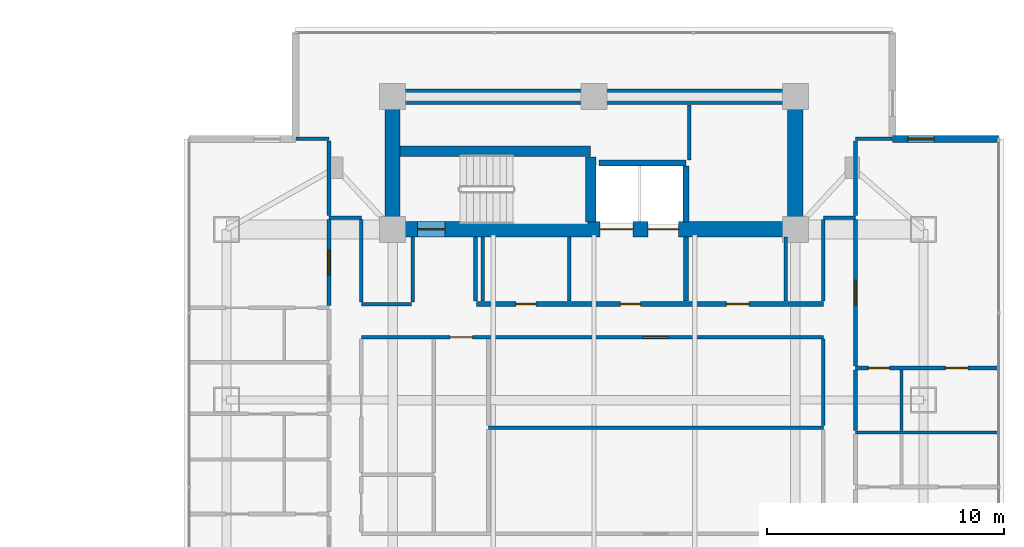
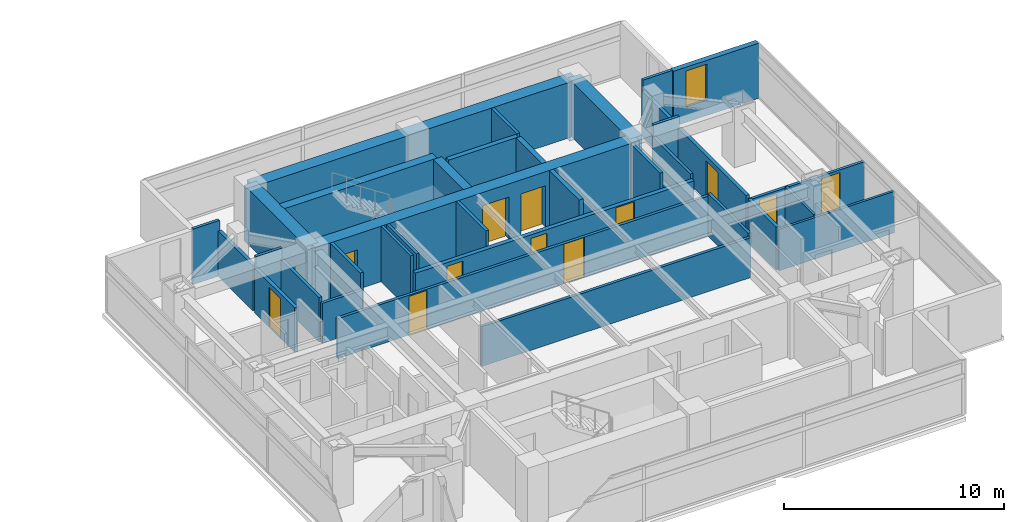
# One storey, part 19 of 26: 35 walls, 12 doors, 1 window, 13 openings.
"""IFC4 building model written with IfcOpenShell, lengths in metres."""

import ifcopenshell
import ifcopenshell.guid

model = None  # the IFC model being written
_history = None  # IfcOwnerHistory: only IFC2X3 demands one
_inside = {}  # id of a spatial element -> (the spatial element, [elements in it])
_under = {}  # id of a project, library or spatial element -> (it, [spatial elements below it])
_declared = {}  # id of a project -> (the project, [libraries it declares])
_typed = {}  # id of a type object -> (the type object, [elements of that type])
_made_of = {}  # id of a material, layer set ... -> (it, [elements and type objects made of it])


def new_model(schema):
    """Start an empty IFC model of exactly this schema.

    Asked for "IFC4X3", IfcOpenShell would pick the latest addendum, in which some entities
    have other attributes; the version numbers below select the first issue.
    IFC2X3 requires an IfcOwnerHistory on every rooted entity: one is made here for all.
    """
    global model, _history
    if schema == "IFC4X3":
        model = ifcopenshell.file(schema_version=(4, 3, 0, 0))
    else:
        model = ifcopenshell.file(schema=schema)
    _inside.clear()
    _under.clear()
    _declared.clear()
    _typed.clear()
    _made_of.clear()
    _history = None
    if model.schema == "IFC2X3":
        org = make("IfcOrganization", Name="unknown")
        user = make(
            "IfcPersonAndOrganization",
            ThePerson=make("IfcPerson", FamilyName="unknown"),
            TheOrganization=org,
        )
        app = make(
            "IfcApplication",
            ApplicationDeveloper=org,
            Version="unknown",
            ApplicationFullName="unknown",
            ApplicationIdentifier="unknown",
        )
        _history = make(
            "IfcOwnerHistory",
            OwningUser=user,
            OwningApplication=app,
            ChangeAction="ADDED",
            CreationDate=0,
        )
    return model


def make(cls, **values):
    """One entity of the class cls with the attributes given. An attribute that is None is left unset."""
    return model.create_entity(
        cls, **{name: value for name, value in values.items() if value is not None}
    )


def rooted(cls, **values):
    """An entity with a GlobalId (a new one), such as an element, a storey or a relation."""
    return make(cls, GlobalId=ifcopenshell.guid.new(), OwnerHistory=_history, **values)


def si_unit(unit_type, name, prefix=None):
    """IfcSIUnit, for example si_unit("LENGTHUNIT", "METRE", prefix="MILLI")."""
    return make("IfcSIUnit", UnitType=unit_type, Prefix=prefix, Name=name)


def assignment(units):
    """IfcUnitAssignment: the units of a project."""
    return None if units is None else make("IfcUnitAssignment", Units=units)


def point(xyz):
    """IfcCartesianPoint."""
    return None if xyz is None else make("IfcCartesianPoint", Coordinates=xyz)


def direction(xyz):
    """IfcDirection."""
    return None if xyz is None else make("IfcDirection", DirectionRatios=xyz)


def frame(location, z_axis=None, x_axis=None):
    """IfcAxis2Placement3D, a coordinate frame: its origin and axes. An axis left out is left unset."""
    return make(
        "IfcAxis2Placement3D",
        Location=point(location),
        Axis=direction(z_axis),
        RefDirection=direction(x_axis),
    )


def frame_2d(location, x_axis=None):
    """IfcAxis2Placement2D, a coordinate frame in the plane: its origin and x axis."""
    return make(
        "IfcAxis2Placement2D", Location=point(location), RefDirection=direction(x_axis)
    )


def origin():
    """The frame at (0, 0, 0) with its axes left unset."""
    return frame((0.0, 0.0, 0.0))


def place(relative_to, where):
    """IfcLocalPlacement: puts the frame where relative to a parent placement (None: the world)."""
    return make(
        "IfcLocalPlacement", PlacementRelTo=relative_to, RelativePlacement=where
    )


def context(
    kind, dimensions, precision=None, world=None, true_north=None, identifier=None
):
    """IfcGeometricRepresentationContext, for example the 3D "Model" context."""
    return make(
        "IfcGeometricRepresentationContext",
        ContextIdentifier=identifier,
        ContextType=kind,
        CoordinateSpaceDimension=dimensions,
        Precision=precision,
        WorldCoordinateSystem=world,
        TrueNorth=true_north,
    )


def subcontext(parent, identifier, kind, view, scale=None):
    """IfcGeometricRepresentationSubContext, for example "Body" below "Model"."""
    return make(
        "IfcGeometricRepresentationSubContext",
        ContextIdentifier=identifier,
        ContextType=kind,
        ParentContext=parent,
        TargetScale=scale,
        TargetView=view,
    )


def project(units=None, contexts=None):
    """IfcProject with its units and contexts."""
    return rooted(
        "IfcProject",
        Name="project",
        RepresentationContexts=contexts,
        UnitsInContext=assignment(units),
    )


def spatial(cls, under=None, at=None, **own):
    """A site, building, storey or space (cls), placed at a placement, below another one or the project."""
    s = rooted(cls, ObjectPlacement=at, **own)
    if under is not None:
        _under.setdefault(under.id(), (under, []))[1].append(s)
    return s


def profile(cls, at=None, kind="AREA", **sizes):
    """A parametric profile (cls). Its sizes go by their IFC names, for example OverallWidth=200.0."""
    return make(cls, ProfileType=kind, Position=at, **sizes)


def rectangle(**sizes):
    """IfcRectangleProfileDef."""
    return profile("IfcRectangleProfileDef", **sizes)


def extrude(swept, where, along, depth):
    """IfcExtrudedAreaSolid: the profile swept, set in the frame where, extruded along a direction by depth."""
    return make(
        "IfcExtrudedAreaSolid",
        SweptArea=swept,
        Position=where,
        ExtrudedDirection=direction(along),
        Depth=depth,
    )


def shape(context_of_items, identifier, shape_type, items):
    """IfcShapeRepresentation: the items that make up one representation, for example the "Body"."""
    return make(
        "IfcShapeRepresentation",
        ContextOfItems=context_of_items,
        RepresentationIdentifier=identifier,
        RepresentationType=shape_type,
        Items=items,
    )


def material(Name=None, Category=None):
    """IfcMaterial."""
    return make("IfcMaterial", Name=Name, Category=Category)


def layer(
    of_material, thickness, ventilated=None, Name=None, Category=None, Priority=None
):
    """IfcMaterialLayer: one layer of a wall or slab, of a material (None: an air gap)."""
    return make(
        "IfcMaterialLayer",
        Material=of_material,
        LayerThickness=thickness,
        IsVentilated=ventilated,
        Name=Name,
        Category=Category,
        Priority=Priority,
    )


def layer_set(layers, Name=None):
    """IfcMaterialLayerSet."""
    return make("IfcMaterialLayerSet", MaterialLayers=layers, LayerSetName=Name)


def made_of(thing, what):
    """Note that an element or type object is made of a material, layer set ...; save() writes the relation."""
    if what is not None:
        _made_of.setdefault(what.id(), (what, []))[1].append(thing)
    return thing


def type_object(cls, material=None, **own):
    """A type object (cls), such as IfcWallType, which elements share."""
    return made_of(rooted(cls, **own), material)


def element(
    cls,
    number,
    at=None,
    inside=None,
    cuts=None,
    type_object=None,
    material=None,
    context=None,
    identifier="Body",
    shape_type=None,
    held_by="IfcProductDefinitionShape",
    body=None,
    shapes=None,
    **own,
):
    """One element of the class cls, such as IfcWall. Its Tag is "e" and its number.

    at: its placement. inside: the storey or other place that contains it. cuts: it is an
    opening in that element (IfcRelVoidsElement). A single representation is given by context,
    identifier, shape_type and body (its items); several are given by shapes. held_by: the class
    of the entity that holds the representations. save() writes the other relations.
    """
    e = rooted(cls, Tag="e%d" % number, ObjectPlacement=at, **own)
    if body is not None:
        shapes = [shape(context, identifier, shape_type, body)]
    if shapes is not None:
        e.Representation = make(held_by, Representations=shapes)
    if inside is not None:
        _inside.setdefault(inside.id(), (inside, []))[1].append(e)
    if cuts is not None:
        rooted(
            "IfcRelVoidsElement", RelatingBuildingElement=cuts, RelatedOpeningElement=e
        )
    if type_object is not None:
        _typed.setdefault(type_object.id(), (type_object, []))[1].append(e)
    return made_of(e, material)


def fill(opening, filler):
    """IfcRelFillsElement: the door or window that sits in an opening."""
    return rooted(
        "IfcRelFillsElement",
        RelatingOpeningElement=opening,
        RelatedBuildingElement=filler,
    )


def aggregate(whole, parts):
    """IfcRelAggregates: a whole, such as a stair, and the parts it consists of."""
    return rooted("IfcRelAggregates", RelatingObject=whole, RelatedObjects=parts)


def save(model, path):
    """Write the relations noted so far, then the file.

    IfcRelAggregates (storeys below a building ...), IfcRelContainedInSpatialStructure (elements
    in a storey), IfcRelDefinesByType, IfcRelAssociatesMaterial and IfcRelDeclares: one each for
    every whole, place, type object, material and project.
    """
    for whole, parts in _under.values():
        aggregate(whole, parts)
    for where, things in _inside.values():
        rooted(
            "IfcRelContainedInSpatialStructure",
            RelatedElements=things,
            RelatingStructure=where,
        )
    for kind, things in _typed.values():
        rooted("IfcRelDefinesByType", RelatedObjects=things, RelatingType=kind)
    for what, things in _made_of.values():
        rooted("IfcRelAssociatesMaterial", RelatedObjects=things, RelatingMaterial=what)
    for by, libraries in _declared.values():
        rooted("IfcRelDeclares", RelatingContext=by, RelatedDefinitions=libraries)
    model.write(path)


model = new_model("IFC4")

# Units and contexts
model_context = context("Model", 3, precision=1e-05, world=origin(), true_north=direction((0.0, 1.0)))
body_context = subcontext(model_context, "Body", "Model", "MODEL_VIEW")
ifc_project = project(units=[si_unit("LENGTHUNIT", "METRE"), si_unit("AREAUNIT", "SQUARE_METRE"), si_unit("VOLUMEUNIT", "CUBIC_METRE"), si_unit("PLANEANGLEUNIT", "RADIAN"), si_unit("MASSUNIT", "GRAM", prefix="KILO")], contexts=[model_context])

# Site, building, storey
site_placement = place(None, origin())
site = spatial("IfcSite", under=ifc_project, at=site_placement, CompositionType="ELEMENT")
building_placement = place(site_placement, origin())
building = spatial("IfcBuilding", under=site, at=building_placement, Name="Mirazonda Arch Towers", CompositionType="ELEMENT")
storey_placement = place(building_placement, frame((0.0, 0.0, 121.39990234375)))
storey = spatial("IfcBuildingStorey", under=building, at=storey_placement, Name="L34", CompositionType="ELEMENT", Elevation=121.39990234375)

# Walls
ifc_material_1 = material(Name="Concrete C50/60", Category="concrete")
ifc_layer_1 = layer(ifc_material_1, 0.449951171875, Name="WALL-CORE-450")
ifc_layer_set_1 = layer_set([ifc_layer_1], Name="Concrete C50/60")
wall_type_1 = type_object("IfcWallType", Name="WALL-CORE-450", PredefinedType="SHEAR", material=ifc_layer_set_1)
wall_1_placement = place(storey_placement, frame((68.320068359375, 38.5, 0.0), z_axis=(0.0, 0.0, 1.0), x_axis=(1.0, 0.0, 0.0)))
element("IfcWall", 1, at=wall_1_placement, inside=storey, type_object=wall_type_1, Name="L34 Stair Core Shear Wall 055", PredefinedType="SHEAR", context=body_context, shape_type="SweptSolid", body=[
    extrude(rectangle(XDim=8.0400390625, YDim=0.449951171875, at=frame_2d((4.02001953125, 0.0))), origin(), (0.0, 0.0, 1.0), 3.080078125),
])
wall_2_placement = place(storey_placement, frame((76.360107421875, 35.52001953125, 0.0), z_axis=(0.0, 0.0, 1.0), x_axis=(0.0, 1.0, 0.0)))
element("IfcWall", 2, at=wall_2_placement, inside=storey, type_object=wall_type_1, Name="L34 Stair Core Shear Wall 141", PredefinedType="SHEAR", context=body_context, shape_type="SweptSolid", body=[
    extrude(rectangle(XDim=2.744873046875, YDim=0.449951171875, at=frame_2d((1.37255859375, 0.0))), origin(), (0.0, 0.0, 1.0), 3.080078125),
])
ifc_material_2 = material(Name="Concrete C60/75", Category="concrete")
ifc_layer_2 = layer(ifc_material_2, 0.64990234375, Name="WALL-CORE-650")
ifc_layer_set_2 = layer_set([ifc_layer_2], Name="Concrete C60/75")
wall_type_2 = type_object("IfcWallType", Name="WALL-CORE-650", PredefinedType="SHEAR", material=ifc_layer_set_2)
wall_3_placement = place(storey_placement, frame((68.0, 40.800048828125, 0.0), z_axis=(0.0, 0.0, 1.0), x_axis=(1.0, 0.0, 0.0)))
element("IfcWall", 3, at=wall_3_placement, inside=storey, type_object=wall_type_2, Name="L34 T2N-N Core Shear Wall", PredefinedType="SHEAR", context=body_context, shape_type="SweptSolid", body=[
    extrude(rectangle(XDim=17.0, YDim=0.64990234375, at=frame_2d((8.5, 0.0))), origin(), (0.0, 0.0, 1.0), 3.080078125),
])
for number, where, z_axis, x_axis, name in (
    (4, (68.0, 35.199951171875, 0.0), (0.0, 0.0, 1.0), (0.0, 1.0, 0.0), "L34 T2N-W Core Shear Wall"),
    (5, (85.0, 35.199951171875, 0.0), (0.0, 0.0, 1.0), (0.0, 1.0, 0.0), "L34 T2N-E Core Shear Wall"),
):
    element("IfcWall", number, at=place(storey_placement, frame(where, z_axis=z_axis, x_axis=x_axis)), inside=storey, type_object=wall_type_2, Name=name, PredefinedType="SHEAR", context=body_context, shape_type="SweptSolid", body=[
        extrude(rectangle(XDim=5.60009765625, YDim=0.64990234375, at=frame_2d((2.800048828125, 0.0))), origin(), (0.0, 0.0, 1.0), 3.080078125),
    ])

# Wall, openings, doors
wall_4_placement = place(storey_placement, frame((68.0, 35.199951171875, 0.0), z_axis=(0.0, 0.0, 1.0), x_axis=(1.0, 0.0, 0.0)))
wall_4 = element("IfcWall", 6, at=wall_4_placement, inside=storey, type_object=wall_type_2, Name="L34 T2N-S Core Shear Wall", PredefinedType="SHEAR", context=body_context, shape_type="SweptSolid", body=[
    extrude(rectangle(XDim=17.0, YDim=0.64990234375, at=frame_2d((8.5, 0.0))), origin(), (0.0, 0.0, 1.0), 3.080078125),
])
opening_1_placement = place(wall_4_placement, frame((1.06005859375, 0.0, 0.0)))
opening_1 = element("IfcOpeningElement", 7, at=opening_1_placement, cuts=wall_4, Name="Opening DR-135", PredefinedType="OPENING", context=body_context, shape_type="SweptSolid", body=[
    extrude(rectangle(XDim=1.14990234375, YDim=2.199951171875, at=frame_2d((0.574951171875, 1.10009765625))), frame((0.0, 0.3349609375, 0.0), z_axis=(0.0, -1.0, 0.0), x_axis=(1.0, 0.0, 0.0)), (0.0, 0.0, 1.0), 0.669921875),
])
opening_2_placement = place(wall_4_placement, frame((8.75, 0.0, 0.0)))
opening_2 = element("IfcOpeningElement", 8, at=opening_2_placement, cuts=wall_4, Name="Opening LD-112", PredefinedType="OPENING", context=body_context, shape_type="SweptSolid", body=[
    extrude(rectangle(XDim=1.39990234375, YDim=2.35009765625, at=frame_2d((0.699951171875, 1.175048828125))), frame((0.0, 0.3349609375, 0.0), z_axis=(0.0, -1.0, 0.0), x_axis=(1.0, 0.0, 0.0)), (0.0, 0.0, 1.0), 0.669921875),
])
opening_3_placement = place(wall_4_placement, frame((10.77001953125, 0.0, 0.0)))
opening_3 = element("IfcOpeningElement", 9, at=opening_3_placement, cuts=wall_4, Name="Opening LD-111", PredefinedType="OPENING", context=body_context, shape_type="SweptSolid", body=[
    extrude(rectangle(XDim=1.300048828125, YDim=2.300048828125, at=frame_2d((0.64990234375, 1.14990234375))), frame((0.0, 0.3349609375, 0.0), z_axis=(0.0, -1.0, 0.0), x_axis=(1.0, 0.0, 0.0)), (0.0, 0.0, 1.0), 0.669921875),
])
ifc_material_3 = material(Name="Architectural Brushed Steel S355", Category="steel")
door_type_1 = type_object("IfcDoorType", Name="DOOR-LIFT-FFL-1400", OperationType="NOTDEFINED", PredefinedType="DOOR", material=ifc_material_3)
door_1_placement = place(opening_2_placement, origin())
door_1 = element("IfcDoor", 10, at=door_1_placement, inside=storey, type_object=door_type_1, Name="L34 Lift Landing Sliding Door FFL-T2", OperationType="DOUBLE_DOOR_SLIDING", OverallHeight=2.35009765625, OverallWidth=1.39990234375, PredefinedType="DOOR", context=body_context, shape_type="SweptSolid", body=[
    extrude(rectangle(XDim=1.39990234375, YDim=2.35009765625, at=frame_2d((0.699951171875, 1.175048828125))), frame((0.0, 0.02490234375, 0.0), z_axis=(0.0, -1.0, 0.0), x_axis=(1.0, 0.0, 0.0)), (0.0, 0.0, 1.0), 0.050048828125),
])
fill(opening_2, door_1)
door_type_2 = type_object("IfcDoorType", Name="DOOR-LIFT-LAND-1300", OperationType="NOTDEFINED", PredefinedType="DOOR", material=ifc_material_3)
door_2_placement = place(opening_3_placement, origin())
door_2 = element("IfcDoor", 11, at=door_2_placement, inside=storey, type_object=door_type_2, Name="L34 Lift Landing Sliding Door SVL-T2", OperationType="DOUBLE_DOOR_SLIDING", OverallHeight=2.300048828125, OverallWidth=1.300048828125, PredefinedType="DOOR", context=body_context, shape_type="SweptSolid", body=[
    extrude(rectangle(XDim=1.300048828125, YDim=2.300048828125, at=frame_2d((0.64990234375, 1.14990234375))), frame((0.0, 0.02490234375, 0.0), z_axis=(0.0, -1.0, 0.0), x_axis=(1.0, 0.0, 0.0)), (0.0, 0.0, 1.0), 0.050048828125),
])
fill(opening_3, door_2)
door_type_3 = type_object("IfcDoorType", Name="DOOR-STAIR-FD90-1150", OperationType="NOTDEFINED", PredefinedType="DOOR", material=ifc_material_3)
door_3_placement = place(opening_1_placement, origin())
door_3 = element("IfcDoor", 12, at=door_3_placement, inside=storey, type_object=door_type_3, Name="L34 East Protected Stair North Door", OperationType="SINGLE_SWING_LEFT", OverallHeight=2.199951171875, OverallWidth=1.14990234375, PredefinedType="DOOR", context=body_context, shape_type="SweptSolid", body=[
    extrude(rectangle(XDim=1.14990234375, YDim=2.199951171875, at=frame_2d((0.574951171875, 1.10009765625))), frame((0.0, 0.02490234375, 0.0), z_axis=(0.0, -1.0, 0.0), x_axis=(1.0, 0.0, 0.0)), (0.0, 0.0, 1.0), 0.050048828125),
])
fill(opening_1, door_3)

# Wall, opening, window
ifc_material_4 = material(Name="Precast Concrete C40/50", Category="concrete")
ifc_layer_3 = layer(ifc_material_4, 0.280029296875, Name="WALL-EXT-WALL-280")
ifc_layer_set_3 = layer_set([ifc_layer_3], Name="Precast Concrete C40/50")
wall_type_3 = type_object("IfcWallType", Name="WALL-EXT-WALL-280", PredefinedType="SOLIDWALL", material=ifc_layer_set_3)
wall_5_placement = place(storey_placement, frame((93.5830078125, 39.015869140625, 0.0), z_axis=(0.0, 0.0, 1.0), x_axis=(-1.0, 0.0, 0.0)))
wall_5 = element("IfcWall", 13, at=wall_5_placement, inside=storey, type_object=wall_type_3, Name="L34 T2 Corner Notch Return Wall WL-L34-T2-CNE2", PredefinedType="SOLIDWALL", context=body_context, shape_type="SweptSolid", body=[
    extrude(rectangle(XDim=4.486572265625, YDim=0.280029296875, at=frame_2d((2.2431640625, 0.0))), origin(), (0.0, 0.0, 1.0), 3.06005859375),
])
opening_4_placement = place(wall_5_placement, frame((2.737060546875, 0.0, 0.85009765625)))
opening_4 = element("IfcOpeningElement", 14, at=opening_4_placement, cuts=wall_5, Name="Opening WN-108", PredefinedType="OPENING", context=body_context, shape_type="SweptSolid", body=[
    extrude(rectangle(XDim=1.10009765625, YDim=2.0, at=frame_2d((0.550048828125, 1.0))), frame((0.0, 0.14990234375, 0.0), z_axis=(0.0, -1.0, 0.0), x_axis=(1.0, 0.0, 0.0)), (0.0, 0.0, 1.0), 0.300048828125),
])
ifc_material_5 = material(Name="Insulated Low-E Solar Glass", Category="glass")
window_type = type_object("IfcWindowType", Name="WIN-NOTCH-1100x2000", PartitioningType="SINGLE_PANEL", PredefinedType="WINDOW", material=ifc_material_5)
window_placement = place(opening_4_placement, origin())
window = element("IfcWindow", 15, at=window_placement, inside=storey, type_object=window_type, Name="L34 Punched Facade Window WN-L34-T2-CNE2", OverallHeight=2.0, OverallWidth=1.10009765625, PartitioningType="SINGLE_PANEL", PredefinedType="WINDOW", context=body_context, shape_type="SweptSolid", body=[
    extrude(rectangle(XDim=1.10009765625, YDim=2.0, at=frame_2d((0.550048828125, 1.0))), frame((0.0, 0.030029296875, 0.0), z_axis=(0.0, -1.0, 0.0), x_axis=(1.0, 0.0, 0.0)), (0.0, 0.0, 1.0), 0.06005859375),
])
fill(opening_4, window)

# Wall, openings, doors
ifc_material_6 = material(Name="Concrete C40/50", Category="concrete")
ifc_layer_4 = layer(ifc_material_6, 0.219970703125, Name="WALL-FFL-220")
ifc_layer_set_4 = layer_set([ifc_layer_4], Name="Concrete C40/50")
wall_type_4 = type_object("IfcWallType", Name="WALL-FFL-220", PredefinedType="SOLIDWALL", material=ifc_layer_set_4)
wall_6_placement = place(storey_placement, frame((71.550048828125, 32.050048828125, 0.0), z_axis=(0.0, 0.0, 1.0), x_axis=(1.0, 0.0, 0.0)))
wall_6 = element("IfcWall", 16, at=wall_6_placement, inside=storey, type_object=wall_type_4, Name="L34 Interior Partition 046", PredefinedType="SOLIDWALL", context=body_context, shape_type="SweptSolid", body=[
    extrude(rectangle(XDim=14.6298828125, YDim=0.219970703125, at=frame_2d((7.31494140625, 0.0))), origin(), (0.0, 0.0, 1.0), 2.216064453125),
])
opening_5_placement = place(wall_6_placement, frame((6.06494140625, 0.0, 0.0)))
opening_5 = element("IfcOpeningElement", 17, at=opening_5_placement, cuts=wall_6, Name="Opening DR-128", PredefinedType="OPENING", context=body_context, shape_type="SweptSolid", body=[
    extrude(rectangle(XDim=0.85009765625, YDim=2.010009765625, at=frame_2d((0.425048828125, 1.0048828125))), frame((0.0, 0.119873046875, 0.0), z_axis=(0.0, -1.0, 0.0), x_axis=(1.0, 0.0, 0.0)), (0.0, 0.0, 1.0), 0.239990234375),
])
opening_6_placement = place(wall_6_placement, frame((10.534912109375, 0.0, 0.0)))
opening_6 = element("IfcOpeningElement", 18, at=opening_6_placement, cuts=wall_6, Name="Opening DR-104", PredefinedType="OPENING", context=body_context, shape_type="SweptSolid", body=[
    extrude(rectangle(XDim=0.949951171875, YDim=2.14990234375, at=frame_2d((0.47509765625, 1.074951171875))), frame((0.0, 0.119873046875, 0.0), z_axis=(0.0, -1.0, 0.0), x_axis=(1.0, 0.0, 0.0)), (0.0, 0.0, 1.0), 0.239990234375),
])
opening_7_placement = place(wall_6_placement, frame((1.64990234375, 0.0, 0.0)))
opening_7 = element("IfcOpeningElement", 19, at=opening_7_placement, cuts=wall_6, Name="Opening DR-128", PredefinedType="OPENING", context=body_context, shape_type="SweptSolid", body=[
    extrude(rectangle(XDim=0.85009765625, YDim=2.010009765625, at=frame_2d((0.425048828125, 1.0048828125))), frame((0.0, 0.119873046875, 0.0), z_axis=(0.0, -1.0, 0.0), x_axis=(1.0, 0.0, 0.0)), (0.0, 0.0, 1.0), 0.239990234375),
])
door_type_4 = type_object("IfcDoorType", Name="DOOR-RISER-FD60-850", OperationType="NOTDEFINED", PredefinedType="DOOR", material=ifc_material_3)
door_4_placement = place(opening_5_placement, origin())
door_4 = element("IfcDoor", 20, at=door_4_placement, inside=storey, type_object=door_type_4, Name="L34 East Firefighting Lift Lobby Door", OperationType="SINGLE_SWING_RIGHT", OverallHeight=2.010009765625, OverallWidth=0.85009765625, PredefinedType="DOOR", context=body_context, shape_type="SweptSolid", body=[
    extrude(rectangle(XDim=0.85009765625, YDim=2.010009765625, at=frame_2d((0.425048828125, 1.0048828125))), frame((0.0, 0.02490234375, 0.0), z_axis=(0.0, -1.0, 0.0), x_axis=(1.0, 0.0, 0.0)), (0.0, 0.0, 1.0), 0.050048828125),
])
fill(opening_5, door_4)
door_5_placement = place(opening_7_placement, origin())
door_5 = element("IfcDoor", 21, at=door_5_placement, inside=storey, type_object=door_type_4, Name="L34 Tower 2 Housekeeping & Linen Room Door", OperationType="SINGLE_SWING_RIGHT", OverallHeight=2.010009765625, OverallWidth=0.85009765625, PredefinedType="DOOR", context=body_context, shape_type="SweptSolid", body=[
    extrude(rectangle(XDim=0.85009765625, YDim=2.010009765625, at=frame_2d((0.425048828125, 1.0048828125))), frame((0.0, 0.02490234375, 0.0), z_axis=(0.0, -1.0, 0.0), x_axis=(1.0, 0.0, 0.0)), (0.0, 0.0, 1.0), 0.050048828125),
])
fill(opening_7, door_5)
door_type_5 = type_object("IfcDoorType", Name="DOOR-ROOM-950", OperationType="NOTDEFINED", PredefinedType="DOOR", material=ifc_material_3)
door_6_placement = place(opening_6_placement, origin())
door_6 = element("IfcDoor", 22, at=door_6_placement, inside=storey, type_object=door_type_5, Name="L34 East Sky Reading Library Door", OperationType="SINGLE_SWING_LEFT", OverallHeight=2.14990234375, OverallWidth=0.949951171875, PredefinedType="DOOR", context=body_context, shape_type="SweptSolid", body=[
    extrude(rectangle(XDim=0.949951171875, YDim=2.14990234375, at=frame_2d((0.47509765625, 1.074951171875))), frame((0.0, 0.02490234375, 0.0), z_axis=(0.0, -1.0, 0.0), x_axis=(1.0, 0.0, 0.0)), (0.0, 0.0, 1.0), 0.050048828125),
])
fill(opening_6, door_6)

# Walls
wall_7_placement = place(storey_placement, frame((80.3798828125, 32.169921875, 0.0), z_axis=(0.0, 0.0, 1.0), x_axis=(0.0, 1.0, 0.0)))
element("IfcWall", 23, at=wall_7_placement, inside=storey, type_object=wall_type_4, Name="L34 Interior Partition 143", PredefinedType="SOLIDWALL", context=body_context, shape_type="SweptSolid", body=[
    extrude(rectangle(XDim=2.7099609375, YDim=0.219970703125, at=frame_2d((1.35498046875, 0.0))), origin(), (0.0, 0.0, 1.0), 3.080078125),
])
ifc_material_7 = material(Name="Fire-Rated Gypsum Stud Partition")
ifc_layer_5 = layer(ifc_material_7, 0.14990234375, Name="WALL-PART-CORR-150")
ifc_layer_set_5 = layer_set([ifc_layer_5], Name="Fire-Rated Gypsum Stud Partition")
wall_type_5 = type_object("IfcWallType", Name="WALL-PART-CORR-150", PredefinedType="PARTITIONING", material=ifc_layer_set_5)
wall_8_placement = place(storey_placement, frame((72.050048828125, 26.83203125, 0.0), z_axis=(0.0, 0.0, 1.0), x_axis=(1.0, 0.0, 0.0)))
element("IfcWall", 24, at=wall_8_placement, inside=storey, type_object=wall_type_5, Name="L34 Interior Partition 034", PredefinedType="PARTITIONING", context=body_context, shape_type="SweptSolid", body=[
    extrude(rectangle(XDim=14.1298828125, YDim=0.14990234375, at=frame_2d((7.06494140625, 0.0))), origin(), (0.0, 0.0, 1.0), 2.216064453125),
])

# Wall, openings, doors
wall_9_placement = place(storey_placement, frame((87.5400390625, 29.35205078125, 0.0), z_axis=(0.0, 0.0, 1.0), x_axis=(1.0, 0.0, 0.0)))
wall_9 = element("IfcWall", 25, at=wall_9_placement, inside=storey, type_object=wall_type_5, Name="L34 Interior Partition 040", PredefinedType="PARTITIONING", context=body_context, shape_type="SweptSolid", body=[
    extrude(rectangle(XDim=6.04296875, YDim=0.14990234375, at=frame_2d((3.021484375, 0.0))), origin(), (0.0, 0.0, 1.0), 2.299072265625),
])
opening_8_placement = place(wall_9_placement, frame((3.79345703125, 0.0, 0.0)))
opening_8 = element("IfcOpeningElement", 26, at=opening_8_placement, cuts=wall_9, Name="Opening DR-104", PredefinedType="OPENING", context=body_context, shape_type="SweptSolid", body=[
    extrude(rectangle(XDim=0.949951171875, YDim=2.14990234375, at=frame_2d((0.47509765625, 1.074951171875))), frame((0.0, 0.0849609375, 0.0), z_axis=(0.0, -1.0, 0.0), x_axis=(1.0, 0.0, 0.0)), (0.0, 0.0, 1.0), 0.169921875),
])
opening_9_placement = place(wall_9_placement, frame((0.537109375, 0.0, 0.0)))
opening_9 = element("IfcOpeningElement", 27, at=opening_9_placement, cuts=wall_9, Name="Opening DR-120", PredefinedType="OPENING", context=body_context, shape_type="SweptSolid", body=[
    extrude(rectangle(XDim=0.89990234375, YDim=2.10009765625, at=frame_2d((0.449951171875, 1.050048828125))), frame((0.0, 0.0849609375, 0.0), z_axis=(0.0, -1.0, 0.0), x_axis=(1.0, 0.0, 0.0)), (0.0, 0.0, 1.0), 0.169921875),
])
door_7_placement = place(opening_8_placement, origin())
door_7 = element("IfcDoor", 28, at=door_7_placement, inside=storey, type_object=door_type_5, Name="L34 Studio 2 Galley Kitchen Door", OperationType="SINGLE_SWING_RIGHT", OverallHeight=2.14990234375, OverallWidth=0.949951171875, PredefinedType="DOOR", context=body_context, shape_type="SweptSolid", body=[
    extrude(rectangle(XDim=0.949951171875, YDim=2.14990234375, at=frame_2d((0.47509765625, 1.074951171875))), frame((0.0, 0.02490234375, 0.0), z_axis=(0.0, -1.0, 0.0), x_axis=(1.0, 0.0, 0.0)), (0.0, 0.0, 1.0), 0.050048828125),
])
fill(opening_8, door_7)
door_type_6 = type_object("IfcDoorType", Name="DOOR-WC-900", OperationType="NOTDEFINED", PredefinedType="DOOR", material=ifc_material_3)
door_8_placement = place(opening_9_placement, origin())
door_8 = element("IfcDoor", 29, at=door_8_placement, inside=storey, type_object=door_type_6, Name="L34 Studio 2 Bathroom Door", OperationType="SINGLE_SWING_LEFT", OverallHeight=2.10009765625, OverallWidth=0.89990234375, PredefinedType="DOOR", context=body_context, shape_type="SweptSolid", body=[
    extrude(rectangle(XDim=0.89990234375, YDim=2.10009765625, at=frame_2d((0.449951171875, 1.050048828125))), frame((0.0, 0.02490234375, 0.0), z_axis=(0.0, -1.0, 0.0), x_axis=(1.0, 0.0, 0.0)), (0.0, 0.0, 1.0), 0.050048828125),
])
fill(opening_9, door_8)

wall_10_placement = place(storey_placement, frame((66.679931640625, 30.64990234375, 0.0), z_axis=(0.0, 0.0, 1.0), x_axis=(1.0, 0.0, 0.0)))
wall_10 = element("IfcWall", 30, at=wall_10_placement, inside=storey, type_object=wall_type_5, Name="L34 Interior Partition 043", PredefinedType="PARTITIONING", context=body_context, shape_type="SweptSolid", body=[
    extrude(rectangle(XDim=19.5, YDim=0.14990234375, at=frame_2d((9.75, 0.0))), origin(), (0.0, 0.0, 1.0), 2.216064453125),
])
opening_10_placement = place(wall_10_placement, frame((3.7451171875, 0.0, 0.0)))
opening_10 = element("IfcOpeningElement", 31, at=opening_10_placement, cuts=wall_10, Name="Opening DR-104", PredefinedType="OPENING", context=body_context, shape_type="SweptSolid", body=[
    extrude(rectangle(XDim=0.949951171875, YDim=2.14990234375, at=frame_2d((0.47509765625, 1.074951171875))), frame((0.0, 0.0849609375, 0.0), z_axis=(0.0, -1.0, 0.0), x_axis=(1.0, 0.0, 0.0)), (0.0, 0.0, 1.0), 0.169921875),
])
opening_11_placement = place(wall_10_placement, frame((11.889892578125, 0.0, 0.0)))
opening_11 = element("IfcOpeningElement", 32, at=opening_11_placement, cuts=wall_10, Name="Opening DR-121", PredefinedType="OPENING", context=body_context, shape_type="SweptSolid", body=[
    extrude(rectangle(XDim=1.050048828125, YDim=2.199951171875, at=frame_2d((0.52490234375, 1.10009765625))), frame((0.0, 0.0849609375, 0.0), z_axis=(0.0, -1.0, 0.0), x_axis=(1.0, 0.0, 0.0)), (0.0, 0.0, 1.0), 0.169921875),
])
door_9_placement = place(opening_10_placement, origin())
door_9 = element("IfcDoor", 33, at=door_9_placement, inside=storey, type_object=door_type_5, Name="L34 L34 East Courtyard Study Door", OperationType="SINGLE_SWING_LEFT", OverallHeight=2.14990234375, OverallWidth=0.949951171875, PredefinedType="DOOR", context=body_context, shape_type="SweptSolid", body=[
    extrude(rectangle(XDim=0.949951171875, YDim=2.14990234375, at=frame_2d((0.47509765625, 1.074951171875))), frame((0.0, 0.02490234375, 0.0), z_axis=(0.0, -1.0, 0.0), x_axis=(1.0, 0.0, 0.0)), (0.0, 0.0, 1.0), 0.050048828125),
])
fill(opening_10, door_9)
door_type_7 = type_object("IfcDoorType", Name="DOOR-SUITE-FD60-1050", OperationType="NOTDEFINED", PredefinedType="DOOR", material=ifc_material_3)
door_10_placement = place(opening_11_placement, origin())
door_10 = element("IfcDoor", 34, at=door_10_placement, inside=storey, type_object=door_type_7, Name="L34 Private Dining Room Door", OperationType="SINGLE_SWING_LEFT", OverallHeight=2.199951171875, OverallWidth=1.050048828125, PredefinedType="DOOR", context=body_context, shape_type="SweptSolid", body=[
    extrude(rectangle(XDim=1.050048828125, YDim=2.199951171875, at=frame_2d((0.52490234375, 1.10009765625))), frame((0.0, 0.02490234375, 0.0), z_axis=(0.0, -1.0, 0.0), x_axis=(1.0, 0.0, 0.0)), (0.0, 0.0, 1.0), 0.050048828125),
])
fill(opening_11, door_10)

# Walls
wall_11_placement = place(storey_placement, frame((66.679931640625, 32.050048828125, 0.0), z_axis=(0.0, 0.0, 1.0), x_axis=(1.0, 0.0, 0.0)))
element("IfcWall", 35, at=wall_11_placement, inside=storey, type_object=wall_type_5, Name="L34 Interior Partition 045", PredefinedType="PARTITIONING", context=body_context, shape_type="SweptSolid", body=[
    extrude(rectangle(XDim=2.1201171875, YDim=0.14990234375, at=frame_2d((1.06005859375, 0.0))), origin(), (0.0, 0.0, 1.0), 2.216064453125),
])
wall_12_placement = place(storey_placement, frame((65.320068359375, 35.699951171875, 0.0), z_axis=(0.0, 0.0, 1.0), x_axis=(1.0, 0.0, 0.0)))
element("IfcWall", 36, at=wall_12_placement, inside=storey, type_object=wall_type_5, Name="L34 Interior Partition 052", PredefinedType="PARTITIONING", context=body_context, shape_type="SweptSolid", body=[
    extrude(rectangle(XDim=1.35986328125, YDim=0.14990234375, at=frame_2d((0.679931640625, 0.0))), origin(), (0.0, 0.0, 1.0), 3.080078125),
])
wall_13_placement = place(storey_placement, frame((86.179931640625, 35.699951171875, 0.0), z_axis=(0.0, 0.0, 1.0), x_axis=(1.0, 0.0, 0.0)))
element("IfcWall", 37, at=wall_13_placement, inside=storey, type_object=wall_type_5, Name="L34 Interior Partition 053", PredefinedType="PARTITIONING", context=body_context, shape_type="SweptSolid", body=[
    extrude(rectangle(XDim=1.360107421875, YDim=0.14990234375, at=frame_2d((0.68017578125, 0.0))), origin(), (0.0, 0.0, 1.0), 3.080078125),
])
wall_14_placement = place(storey_placement, frame((63.923583984375, 39.01611328125, 0.0), z_axis=(0.0, 0.0, 1.0), x_axis=(1.0, 0.0, 0.0)))
element("IfcWall", 38, at=wall_14_placement, inside=storey, type_object=wall_type_5, Name="L34 Interior Partition 056", PredefinedType="PARTITIONING", context=body_context, shape_type="SweptSolid", body=[
    extrude(rectangle(XDim=1.396484375, YDim=0.14990234375, at=frame_2d((0.6982421875, 0.0))), origin(), (0.0, 0.0, 1.0), 3.080078125),
])
wall_15_placement = place(storey_placement, frame((87.5400390625, 39.01611328125, 0.0), z_axis=(0.0, 0.0, 1.0), x_axis=(1.0, 0.0, 0.0)))
element("IfcWall", 39, at=wall_15_placement, inside=storey, type_object=wall_type_5, Name="L34 Interior Partition 057", PredefinedType="PARTITIONING", context=body_context, shape_type="SweptSolid", body=[
    extrude(rectangle(XDim=1.536376953125, YDim=0.14990234375, at=frame_2d((0.76806640625, 0.0))), origin(), (0.0, 0.0, 1.0), 3.080078125),
])
wall_16_placement = place(storey_placement, frame((66.679931640625, 32.135009765625, 0.0), z_axis=(0.0, 0.0, 1.0), x_axis=(0.0, 1.0, 0.0)))
element("IfcWall", 40, at=wall_16_placement, inside=storey, type_object=wall_type_5, Name="L34 Interior Partition 131", PredefinedType="PARTITIONING", context=body_context, shape_type="SweptSolid", body=[
    extrude(rectangle(XDim=3.47998046875, YDim=0.14990234375, at=frame_2d((1.739990234375, 0.0))), origin(), (0.0, 0.0, 1.0), 2.47216796875),
])
wall_17_placement = place(storey_placement, frame((68.85009765625, 32.135009765625, 0.0), z_axis=(0.0, 0.0, 1.0), x_axis=(0.0, 1.0, 0.0)))
element("IfcWall", 41, at=wall_17_placement, inside=storey, type_object=wall_type_5, Name="L34 Interior Partition 132", PredefinedType="PARTITIONING", context=body_context, shape_type="SweptSolid", body=[
    extrude(rectangle(XDim=2.744873046875, YDim=0.14990234375, at=frame_2d((1.37255859375, 0.0))), origin(), (0.0, 0.0, 1.0), 3.080078125),
])
for number, where, z_axis, x_axis, name in (
    (42, (71.5, 32.169921875, 0.0), (0.0, 0.0, 1.0), (0.0, 1.0, 0.0), "L34 Interior Partition 135"),
    (43, (71.800048828125, 32.169921875, 0.0), (0.0, 0.0, 1.0), (0.0, 1.0, 0.0), "L34 Interior Partition 136"),
    (44, (75.449951171875, 32.169921875, 0.0), (0.0, 0.0, 1.0), (0.0, 1.0, 0.0), "L34 Interior Partition 139"),
):
    element("IfcWall", number, at=place(storey_placement, frame(where, z_axis=z_axis, x_axis=x_axis)), inside=storey, type_object=wall_type_5, Name=name, PredefinedType="PARTITIONING", context=body_context, shape_type="SweptSolid", body=[
        extrude(rectangle(XDim=2.7099609375, YDim=0.14990234375, at=frame_2d((1.35498046875, 0.0))), origin(), (0.0, 0.0, 1.0), 3.080078125),
    ])
wall_18_placement = place(storey_placement, frame((80.52001953125, 38.135009765625, 0.0), z_axis=(0.0, 0.0, 1.0), x_axis=(0.0, 1.0, 0.0)))
element("IfcWall", 45, at=wall_18_placement, inside=storey, type_object=wall_type_5, Name="L34 Interior Partition 145", PredefinedType="PARTITIONING", context=body_context, shape_type="SweptSolid", body=[
    extrude(rectangle(XDim=2.31494140625, YDim=0.14990234375, at=frame_2d((1.157470703125, 0.0))), origin(), (0.0, 0.0, 1.0), 3.080078125),
])
wall_19_placement = place(storey_placement, frame((84.60009765625, 32.169921875, 0.0), z_axis=(0.0, 0.0, 1.0), x_axis=(0.0, 1.0, 0.0)))
element("IfcWall", 46, at=wall_19_placement, inside=storey, type_object=wall_type_5, Name="L34 Interior Partition 147", PredefinedType="PARTITIONING", context=body_context, shape_type="SweptSolid", body=[
    extrude(rectangle(XDim=2.7099609375, YDim=0.14990234375, at=frame_2d((1.35498046875, 0.0))), origin(), (0.0, 0.0, 1.0), 3.080078125),
])
wall_20_placement = place(storey_placement, frame((86.179931640625, 26.9169921875, 0.0), z_axis=(0.0, 0.0, 1.0), x_axis=(0.0, 1.0, 0.0)))
element("IfcWall", 47, at=wall_20_placement, inside=storey, type_object=wall_type_5, Name="L34 Interior Partition 150", PredefinedType="PARTITIONING", context=body_context, shape_type="SweptSolid", body=[
    extrude(rectangle(XDim=3.64794921875, YDim=0.14990234375, at=frame_2d((1.823974609375, 0.0))), origin(), (0.0, 0.0, 1.0), 2.3759765625),
])
wall_21_placement = place(storey_placement, frame((86.179931640625, 32.169921875, 0.0), z_axis=(0.0, 0.0, 1.0), x_axis=(0.0, 1.0, 0.0)))
element("IfcWall", 48, at=wall_21_placement, inside=storey, type_object=wall_type_5, Name="L34 Interior Partition 151", PredefinedType="PARTITIONING", context=body_context, shape_type="SweptSolid", body=[
    extrude(rectangle(XDim=3.445068359375, YDim=0.14990234375, at=frame_2d((1.72265625, 0.0))), origin(), (0.0, 0.0, 1.0), 2.47216796875),
])

# Wall, opening, door
ifc_material_8 = material(Name="Fire-Rated Gypsum Twin-Stud Assembly")
ifc_layer_6 = layer(ifc_material_8, 0.179931640625, Name="WALL-PART-DEMISE-180")
ifc_layer_set_6 = layer_set([ifc_layer_6], Name="Fire-Rated Gypsum Twin-Stud Assembly")
wall_type_6 = type_object("IfcWallType", Name="WALL-PART-DEMISE-180", PredefinedType="PARTITIONING", material=ifc_layer_set_6)
wall_22_placement = place(storey_placement, frame((65.320068359375, 31.98095703125, 0.0), z_axis=(0.0, 0.0, 1.0), x_axis=(0.0, 1.0, 0.0)))
wall_22 = element("IfcWall", 49, at=wall_22_placement, inside=storey, type_object=wall_type_6, Name="L34 Interior Partition 126", PredefinedType="PARTITIONING", context=body_context, shape_type="SweptSolid", body=[
    extrude(rectangle(XDim=3.634033203125, YDim=0.179931640625, at=frame_2d((1.81689453125, 0.0))), origin(), (0.0, 0.0, 1.0), 2.47216796875),
])
opening_12_placement = place(wall_22_placement, frame((1.2919921875, 0.0, 0.0)))
opening_12 = element("IfcOpeningElement", 50, at=opening_12_placement, cuts=wall_22, Name="Opening DR-121", PredefinedType="OPENING", context=body_context, shape_type="SweptSolid", body=[
    extrude(rectangle(XDim=1.050048828125, YDim=2.199951171875, at=frame_2d((0.52490234375, 1.10009765625))), frame((0.0, 0.099853515625, 0.0), z_axis=(0.0, -1.0, 0.0), x_axis=(1.0, 0.0, 0.0)), (0.0, 0.0, 1.0), 0.199951171875),
])
door_11_placement = place(opening_12_placement, origin())
door_11 = element("IfcDoor", 51, at=door_11_placement, inside=storey, type_object=door_type_7, Name="L34 Studio Apartment 3 Living Salon Door", OperationType="SINGLE_SWING_LEFT", OverallHeight=2.199951171875, OverallWidth=1.050048828125, PredefinedType="DOOR", context=body_context, shape_type="SweptSolid", body=[
    extrude(rectangle(XDim=1.050048828125, YDim=2.199951171875, at=frame_2d((0.52490234375, 1.10009765625))), frame((0.0, 0.02490234375, 0.0), z_axis=(0.0, -1.0, 0.0), x_axis=(1.0, 0.0, 0.0)), (0.0, 0.0, 1.0), 0.050048828125),
])
fill(opening_12, door_11)

# Walls
wall_23_placement = place(storey_placement, frame((65.320068359375, 35.784912109375, 0.0), z_axis=(0.0, 0.0, 1.0), x_axis=(0.0, 1.0, 0.0)))
element("IfcWall", 52, at=wall_23_placement, inside=storey, type_object=wall_type_6, Name="L34 Interior Partition 127", PredefinedType="PARTITIONING", context=body_context, shape_type="SweptSolid", body=[
    extrude(rectangle(XDim=3.14599609375, YDim=0.179931640625, at=frame_2d((1.572998046875, 0.0))), origin(), (0.0, 0.0, 1.0), 2.523193359375),
])
wall_24_placement = place(storey_placement, frame((87.5400390625, 26.70458984375, 0.0), z_axis=(0.0, 0.0, 1.0), x_axis=(0.0, 1.0, 0.0)))
element("IfcWall", 53, at=wall_24_placement, inside=storey, type_object=wall_type_6, Name="L34 Interior Partition 155", PredefinedType="PARTITIONING", context=body_context, shape_type="SweptSolid", body=[
    extrude(rectangle(XDim=2.5625, YDim=0.179931640625, at=frame_2d((1.28125, 0.0))), origin(), (0.0, 0.0, 1.0), 2.3759765625),
])

# Wall, opening, door
wall_25_placement = place(storey_placement, frame((87.5400390625, 29.43701171875, 0.0), z_axis=(0.0, 0.0, 1.0), x_axis=(0.0, 1.0, 0.0)))
wall_25 = element("IfcWall", 54, at=wall_25_placement, inside=storey, type_object=wall_type_6, Name="L34 Interior Partition 156", PredefinedType="PARTITIONING", context=body_context, shape_type="SweptSolid", body=[
    extrude(rectangle(XDim=6.177978515625, YDim=0.179931640625, at=frame_2d((3.0888671875, 0.0))), origin(), (0.0, 0.0, 1.0), 2.47216796875),
])
opening_13_placement = place(wall_25_placement, frame((2.56396484375, 0.0, 0.0)))
opening_13 = element("IfcOpeningElement", 55, at=opening_13_placement, cuts=wall_25, Name="Opening DR-121", PredefinedType="OPENING", context=body_context, shape_type="SweptSolid", body=[
    extrude(rectangle(XDim=1.050048828125, YDim=2.199951171875, at=frame_2d((0.52490234375, 1.10009765625))), frame((0.0, 0.099853515625, 0.0), z_axis=(0.0, -1.0, 0.0), x_axis=(1.0, 0.0, 0.0)), (0.0, 0.0, 1.0), 0.199951171875),
])
door_12_placement = place(opening_13_placement, origin())
door_12 = element("IfcDoor", 56, at=door_12_placement, inside=storey, type_object=door_type_7, Name="L34 Studio Apartment 2 Living Salon Door", OperationType="SINGLE_SWING_LEFT", OverallHeight=2.199951171875, OverallWidth=1.050048828125, PredefinedType="DOOR", context=body_context, shape_type="SweptSolid", body=[
    extrude(rectangle(XDim=1.050048828125, YDim=2.199951171875, at=frame_2d((0.52490234375, 1.10009765625))), frame((0.0, 0.02490234375, 0.0), z_axis=(0.0, -1.0, 0.0), x_axis=(1.0, 0.0, 0.0)), (0.0, 0.0, 1.0), 0.050048828125),
])
fill(opening_13, door_12)

# Walls
wall_26_placement = place(storey_placement, frame((87.5400390625, 35.784912109375, 0.0), z_axis=(0.0, 0.0, 1.0), x_axis=(0.0, 1.0, 0.0)))
element("IfcWall", 57, at=wall_26_placement, inside=storey, type_object=wall_type_6, Name="L34 Interior Partition 157", PredefinedType="PARTITIONING", context=body_context, shape_type="SweptSolid", body=[
    extrude(rectangle(XDim=3.14599609375, YDim=0.179931640625, at=frame_2d((1.572998046875, 0.0))), origin(), (0.0, 0.0, 1.0), 2.523193359375),
])
ifc_material_9 = material(Name="Acoustic Fire-Rated Gypsum Partition")
ifc_layer_7 = layer(ifc_material_9, 0.125, Name="WALL-PART-UNIT-125")
ifc_layer_set_7 = layer_set([ifc_layer_7], Name="Acoustic Fire-Rated Gypsum Partition")
wall_type_7 = type_object("IfcWallType", Name="WALL-PART-UNIT-125", PredefinedType="PARTITIONING", material=ifc_layer_set_7)
wall_27_placement = place(storey_placement, frame((87.5400390625, 26.632080078125, 0.0), z_axis=(0.0, 0.0, 1.0), x_axis=(1.0, 0.0, 0.0)))
element("IfcWall", 58, at=wall_27_placement, inside=storey, type_object=wall_type_7, Name="L34 Interior Partition 032", PredefinedType="PARTITIONING", context=body_context, shape_type="SweptSolid", body=[
    extrude(rectangle(XDim=6.04296875, YDim=0.125, at=frame_2d((3.021484375, 0.0))), origin(), (0.0, 0.0, 1.0), 2.299072265625),
])
wall_28_placement = place(storey_placement, frame((89.47412109375, 26.70458984375, 0.0), z_axis=(0.0, 0.0, 1.0), x_axis=(0.0, 1.0, 0.0)))
element("IfcWall", 59, at=wall_28_placement, inside=storey, type_object=wall_type_7, Name="L34 Interior Partition 159", PredefinedType="PARTITIONING", context=body_context, shape_type="SweptSolid", body=[
    extrude(rectangle(XDim=2.5625, YDim=0.125, at=frame_2d((1.28125, 0.0))), origin(), (0.0, 0.0, 1.0), 2.3759765625),
])
ifc_layer_8 = layer(ifc_material_6, 0.25, Name="WALL-SHAFT-250")
ifc_layer_set_8 = layer_set([ifc_layer_8], Name="Concrete C40/50")
wall_type_8 = type_object("IfcWallType", Name="WALL-SHAFT-250", PredefinedType="SOLIDWALL", material=ifc_layer_set_8)
wall_29_placement = place(storey_placement, frame((76.719970703125, 38.0, 0.0), z_axis=(0.0, 0.0, 1.0), x_axis=(1.0, 0.0, 0.0)))
element("IfcWall", 60, at=wall_29_placement, inside=storey, type_object=wall_type_8, Name="L34 Interior Partition 054", PredefinedType="SOLIDWALL", context=body_context, shape_type="SweptSolid", body=[
    extrude(rectangle(XDim=3.659912109375, YDim=0.25, at=frame_2d((1.830078125, 0.0))), origin(), (0.0, 0.0, 1.0), 3.080078125),
])
wall_30_placement = place(storey_placement, frame((80.3798828125, 35.52001953125, 0.0), z_axis=(0.0, 0.0, 1.0), x_axis=(0.0, 1.0, 0.0)))
element("IfcWall", 61, at=wall_30_placement, inside=storey, type_object=wall_type_8, Name="L34 Interior Partition 144", PredefinedType="SOLIDWALL", context=body_context, shape_type="SweptSolid", body=[
    extrude(rectangle(XDim=2.344970703125, YDim=0.25, at=frame_2d((1.17236328125, 0.0))), origin(), (0.0, 0.0, 1.0), 3.080078125),
])

save(model, "model.ifc")
